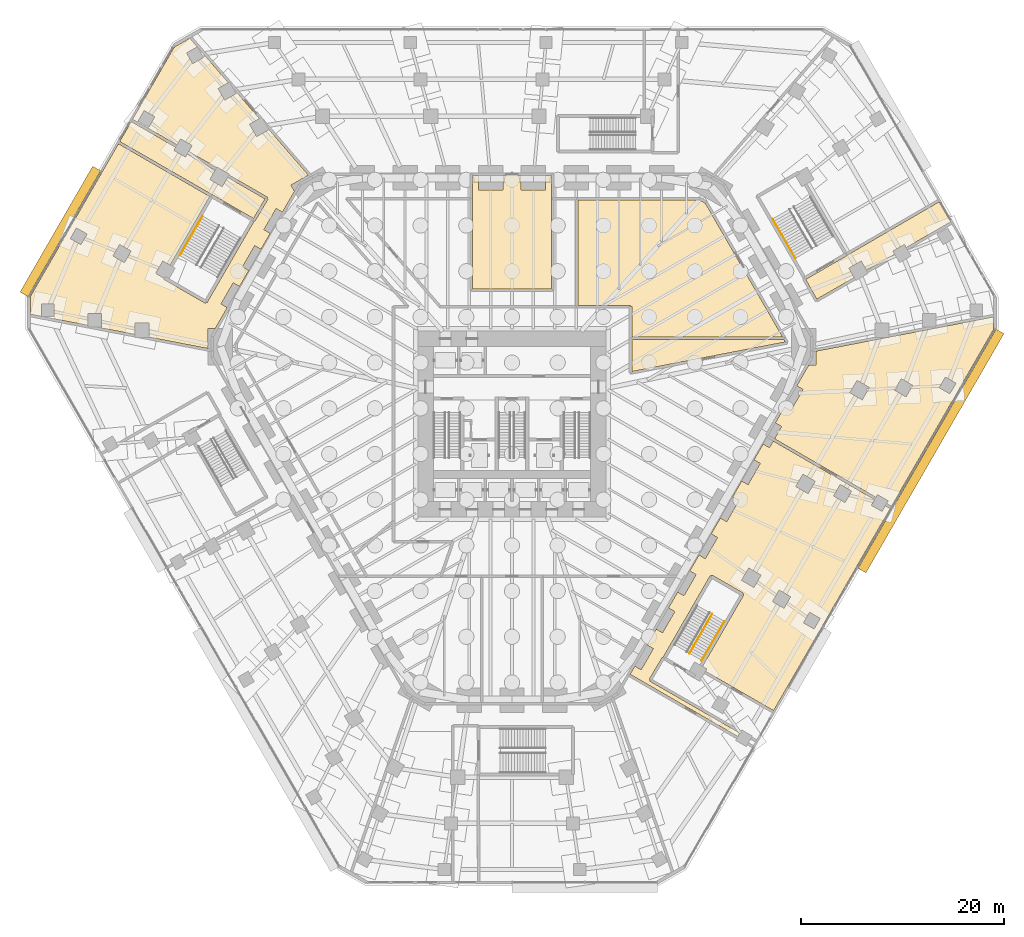
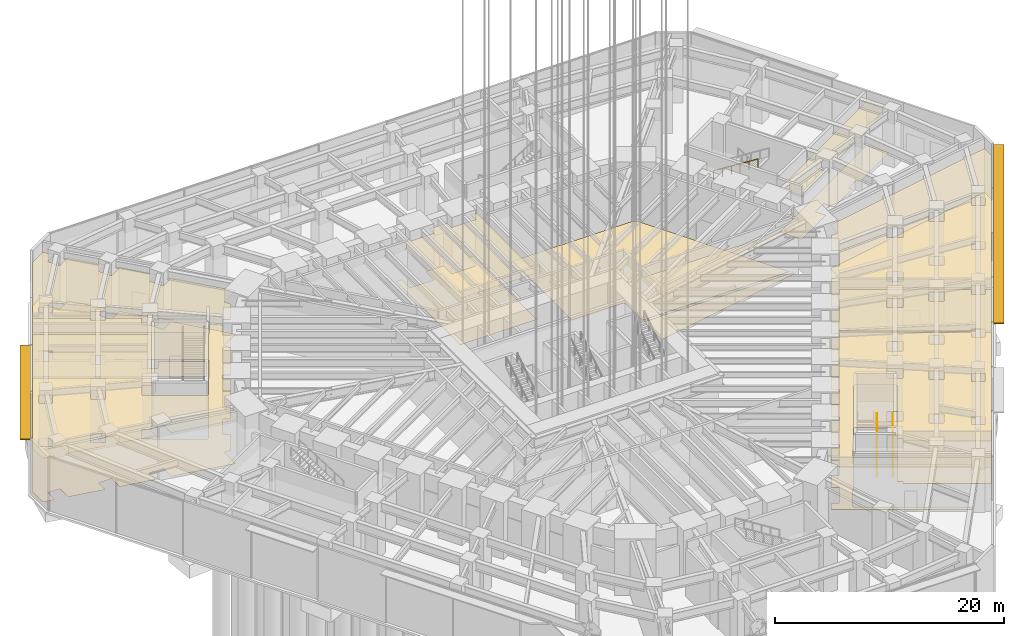
# One storey, part 27 of 34: 15 coverings, 4 railings, 2 shading devices.
"""IFC4 building model written with IfcOpenShell, lengths in metres."""

from ifc_helpers import new_model, si_unit, direction, frame, origin, origin_2d, place, context, subcontext, project, spatial, polyline, rectangle, circle, outline, extrude, material, layer, layer_set, type_object, element, save


model = new_model("IFC4")

# Units and contexts
model_context = context("Model", 3, precision=1e-05, world=origin(), true_north=direction((0.0, 1.0)))
body_context = subcontext(model_context, "Body", "Model", "MODEL_VIEW")
ifc_project = project(units=[si_unit("LENGTHUNIT", "METRE"), si_unit("AREAUNIT", "SQUARE_METRE"), si_unit("VOLUMEUNIT", "CUBIC_METRE"), si_unit("PLANEANGLEUNIT", "RADIAN"), si_unit("MASSUNIT", "GRAM", prefix="KILO")], contexts=[model_context])

# Site, building, storey
site_placement = place(None, origin())
site = spatial("IfcSite", under=ifc_project, at=site_placement, CompositionType="ELEMENT")
building_placement = place(site_placement, origin())
building = spatial("IfcBuilding", under=site, at=building_placement, Name="Sandreach Pilgrim Tower", CompositionType="ELEMENT")
storey_placement = place(building_placement, origin())
storey = spatial("IfcBuildingStorey", under=building, at=storey_placement, Name="L00", CompositionType="ELEMENT", Elevation=0.0)

# Coverings
ifc_material_1 = material(Name="Acoustic mineral fibre tile ceiling on a suspension grid", Category="mineral")
ifc_layer_1 = layer(ifc_material_1, 0.02001953125)
ifc_layer_set_1 = layer_set([ifc_layer_1], Name="Acoustic mineral tile ceiling")
covering_type_1 = type_object("IfcCoveringType", Name="Acoustic mineral tile ceiling", PredefinedType="CEILING", material=ifc_layer_set_1)
covering_1_placement = place(storey_placement, frame((0.0, 0.0, 4.64990234375)))
element("IfcCovering", 1, at=covering_1_placement, inside=storey, type_object=covering_type_1, Name="Ceiling 0006 Cafe", PredefinedType="CEILING", context=body_context, shape_type="SweptSolid", body=[
    extrude(outline(polyline([(-38.75537109375, 26.057373046875), (-29.765869140625, 20.865478515625), (-33.67724609375, 14.09130859375), (-34.38525390625, 14.500244140625), (-35.085205078125, 13.28759765625), (-34.333984375, 12.853759765625), (-34.299072265625, 12.714111328125), (-30.228759765625, 10.364013671875), (-30.02392578125, 10.4189453125), (-25.3740234375, 18.472900390625), (-25.312255859375, 18.4365234375), (-24.0322265625, 20.6064453125), (-24.139892578125, 20.669921875), (-24.077392578125, 20.7783203125), (-27.877197265625, 22.972412109375), (-27.837646484375, 23.041015625), (-29.050048828125, 23.740966796875), (-29.062255859375, 23.719970703125), (-31.85791015625, 25.270751953125), (-31.509521484375, 25.874267578125), (-32.635498046875, 26.524169921875), (-32.98388671875, 25.9208984375), (-35.838623046875, 27.5693359375), (-35.181640625, 28.70751953125), (-36.220703125, 29.307373046875), (-36.8779296875, 28.16943359375), (-37.37158203125, 28.454345703125), (-33.265869140625, 35.565673828125), (-31.72802734375, 36.45361328125), (-30.98583984375, 35.59619140625), (-32.039306640625, 34.98779296875), (-31.439453125, 33.94873046875), (-30.185791015625, 34.67236328125), (-27.927490234375, 32.063720703125), (-28.9404296875, 31.478759765625), (-28.29052734375, 30.35302734375), (-27.06103515625, 31.06298828125), (-24.869140625, 28.53125), (-25.84130859375, 27.969970703125), (-25.141357421875, 26.75732421875), (-23.93603515625, 27.453369140625), (-20.049560546875, 22.96435546875), (-21.76513671875, 21.97412109375), (-21.416748046875, 21.37060546875), (-22.605712890625, 19.3125), (-23.22705078125, 19.67138671875), (-24.427001953125, 17.5927734375), (-23.806396484375, 17.234375), (-24.718017578125, 15.656494140625), (-25.338134765625, 16.0146484375), (-26.538330078125, 13.936279296875), (-25.91845703125, 13.578369140625), (-26.830078125, 12.00048828125), (-27.449462890625, 12.358154296875), (-28.6494140625, 10.279541015625), (-28.03076171875, 9.92236328125), (-29.220947265625, 7.862060546875), (-29.91259765625, 7.862060546875), (-29.91259765625, 5.879150390625), (-35.743408203125, 7.004150390625), (-35.743408203125, 8.394287109375), (-37.143310546875, 8.394287109375), (-37.143310546875, 7.274169921875), (-40.431640625, 7.90869140625), (-40.431640625, 9.32373046875), (-41.731689453125, 9.32373046875), (-41.731689453125, 8.159423828125), (-45.1201171875, 8.81298828125), (-45.1201171875, 10.2529296875), (-46.320068359375, 10.2529296875), (-46.320068359375, 9.044677734375), (-47.43359375, 9.259521484375), (-47.43359375, 11.006103515625), (-38.75537109375, 26.057373046875)]), holes=[polyline([(-38.638427734375, 16.126953125), (-39.288330078125, 15.0009765625), (-38.16259765625, 14.35107421875), (-37.512451171875, 15.476806640625), (-38.638427734375, 16.126953125)]), polyline([(-43.491455078125, 16.71435546875), (-42.4521484375, 16.114501953125), (-41.852294921875, 17.153564453125), (-42.891357421875, 17.753662109375), (-43.491455078125, 16.71435546875)])]), origin(), (0.0, 0.0, 1.0), 0.02001953125),
])
ifc_material_2 = material(Name="Nylon carpet tile on the slab", Category="textile")
ifc_layer_2 = layer(ifc_material_2, 0.008056640625)
ifc_layer_set_2 = layer_set([ifc_layer_2], Name="Carpet tile")
covering_type_2 = type_object("IfcCoveringType", Name="Carpet tile", PredefinedType="FLOORING", material=ifc_layer_set_2)
covering_2_placement = place(storey_placement, origin())
element("IfcCovering", 2, at=covering_2_placement, inside=storey, type_object=covering_type_2, Name="Floor finish 00E4 Stair ST4 exit passageway", PredefinedType="FLOORING", context=body_context, shape_type="SweptSolid", body=[
    extrude(outline(polyline([(42.057373046875, 20.338134765625), (43.202392578125, 18.35498046875), (38.814697265625, 15.8212890625), (38.638427734375, 16.126953125), (37.512451171875, 15.476806640625), (37.68896484375, 15.17138671875), (34.920654296875, 13.572998046875), (34.38525390625, 14.500244140625), (33.1728515625, 13.800048828125), (33.708251953125, 12.872802734375), (30.0166015625, 10.7412109375), (28.910400390625, 12.69482421875), (32.960205078125, 15.032958984375), (32.953125, 15.045166015625), (42.057373046875, 20.338134765625)])), origin(), (0.0, 0.0, 1.0), 0.008056640625),
])
covering_3_placement = place(storey_placement, origin())
element("IfcCovering", 3, at=covering_3_placement, inside=storey, type_object=covering_type_2, Name="Floor finish 00E6 Stair ST6 exit passageway", PredefinedType="FLOORING", context=body_context, shape_type="SweptSolid", body=[
    extrude(outline(polyline([(-38.63037109375, 26.273681640625), (-37.49658203125, 28.23779296875), (-33.10888671875, 25.704345703125), (-33.285400390625, 25.3984375), (-32.15966796875, 24.748291015625), (-31.98291015625, 25.05419921875), (-29.214599609375, 23.455810546875), (-29.750244140625, 22.528564453125), (-28.53759765625, 21.828369140625), (-28.002197265625, 22.755859375), (-24.311767578125, 20.624755859375), (-25.4521484375, 18.69140625), (-38.63037109375, 26.273681640625)])), origin(), (0.0, 0.0, 1.0), 0.008056640625),
])
covering_4_placement = place(storey_placement, origin())
element("IfcCovering", 4, at=covering_4_placement, inside=storey, type_object=covering_type_2, Name="Floor finish 00R1 Fire command centre", PredefinedType="FLOORING", context=body_context, shape_type="SweptSolid", body=[
    extrude(outline(polyline([(3.875, 22.925048828125), (3.875, 11.7451171875), (-3.875, 11.7451171875), (-3.875, 22.925048828125), (-3.304931640625, 22.925048828125), (-3.304931640625, 21.48876953125), (-0.905029296875, 21.48876953125), (-0.905029296875, 22.925048828125), (0.905029296875, 22.925048828125), (0.905029296875, 21.48876953125), (3.304931640625, 21.48876953125), (3.304931640625, 22.925048828125), (3.875, 22.925048828125)])), origin(), (0.0, 0.0, 1.0), 0.008056640625),
])
covering_5_placement = place(storey_placement, origin())
element("IfcCovering", 5, at=covering_5_placement, inside=storey, type_object=covering_type_2, Name="Floor finish 00N1 Group registration hall", PredefinedType="FLOORING", context=body_context, shape_type="SweptSolid", body=[
    extrude(outline(polyline([(26.550537109375, -1.790283203125), (25.93115234375, -1.4326171875), (26.8369140625, 0.13427734375), (27.45556640625, -0.222900390625), (28.655517578125, 1.85546875), (28.0380859375, 2.2119140625), (29.22314453125, 4.26220703125), (29.91259765625, 4.26220703125), (29.91259765625, 5.62451171875), (37.0126953125, 6.994384765625), (37.143310546875, 6.994384765625), (37.143310546875, 7.01953125), (47.43359375, 9.0048828125), (47.43359375, 7.78662109375), (37.36572265625, -9.651611328125), (36.880859375, -9.37158203125), (37.031982421875, -9.109619140625), (35.992919921875, -8.509521484375), (35.841552734375, -8.771484375), (25.850830078125, -3.00244140625), (26.550537109375, -1.790283203125)]), holes=[polyline([(39.453857421875, 2.259765625), (38.328125, 2.90966796875), (37.677978515625, 1.783935546875), (38.803955078125, 1.1337890625), (39.453857421875, 2.259765625)]), polyline([(35.191162109375, 2.051025390625), (33.978515625, 2.7509765625), (33.278564453125, 1.53857421875), (34.490966796875, 0.83837890625), (35.191162109375, 2.051025390625)]), polyline([(42.677490234375, 3.068359375), (42.077392578125, 2.029296875), (43.11669921875, 1.42919921875), (43.716552734375, 2.468505859375), (42.677490234375, 3.068359375)])]), origin(), (0.0, 0.0, 1.0), 0.008056640625),
])
covering_6_placement = place(storey_placement, origin())
element("IfcCovering", 6, at=covering_6_placement, inside=storey, type_object=covering_type_2, Name="Floor finish 00N4 First-aid room", PredefinedType="FLOORING", context=body_context, shape_type="SweptSolid", body=[
    extrude(outline(polyline([(11.794921875, 6.77490234375), (26.787109375, 6.77490234375), (26.925537109375, 6.530029296875), (11.794921875, 3.621337890625), (11.794921875, 6.77490234375)])), origin(), (0.0, 0.0, 1.0), 0.008056640625),
])
ifc_material_3 = material(Name="Epoxy resin floor on the slab", Category="plastic")
ifc_layer_3 = layer(ifc_material_3, 0.00390625)
ifc_layer_set_3 = layer_set([ifc_layer_3], Name="Epoxy resin floor")
covering_type_3 = type_object("IfcCoveringType", Name="Epoxy resin floor", PredefinedType="FLOORING", material=ifc_layer_set_3)
covering_7_placement = place(storey_placement, origin())
element("IfcCovering", 7, at=covering_7_placement, inside=storey, type_object=covering_type_3, Name="Floor finish 00B1 Baggage store", PredefinedType="FLOORING", context=body_context, shape_type="SweptSolid", body=[
    extrude(outline(polyline([(11.669921875, 10.14501953125), (6.485107421875, 10.14501953125), (6.485107421875, 20.52490234375), (18.476318359375, 20.52490234375), (19.038330078125, 20.19873046875), (26.6435546875, 7.02490234375), (11.794921875, 7.02490234375), (11.794921875, 10.02001953125), (11.669921875, 10.02001953125), (11.669921875, 10.14501953125)])), origin(), (0.0, 0.0, 1.0), 0.00390625),
])
ifc_material_4 = material(Name="Gypsum board suspended ceiling on a steel grid", Category="steel")
ifc_layer_4 = layer(ifc_material_4, 0.012939453125)
ifc_layer_set_4 = layer_set([ifc_layer_4], Name="Gypsum board suspended ceiling")
covering_type_4 = type_object("IfcCoveringType", Name="Gypsum board suspended ceiling", PredefinedType="CEILING", material=ifc_layer_set_4)
covering_8_placement = place(storey_placement, frame((0.0, 0.0, 4.64990234375)))
element("IfcCovering", 8, at=covering_8_placement, inside=storey, type_object=covering_type_4, Name="Ceiling 00E4 Stair ST4 exit passageway", PredefinedType="CEILING", context=body_context, shape_type="SweptSolid", body=[
    extrude(outline(polyline([(42.057373046875, 20.338134765625), (43.202392578125, 18.35498046875), (38.814697265625, 15.8212890625), (38.638427734375, 16.126953125), (37.512451171875, 15.476806640625), (37.68896484375, 15.17138671875), (34.920654296875, 13.572998046875), (34.38525390625, 14.500244140625), (33.1728515625, 13.800048828125), (33.708251953125, 12.872802734375), (30.0166015625, 10.7412109375), (28.910400390625, 12.69482421875), (32.960205078125, 15.032958984375), (32.953125, 15.045166015625), (42.057373046875, 20.338134765625)])), origin(), (0.0, 0.0, 1.0), 0.01318359375),
])
covering_9_placement = place(storey_placement, frame((0.0, 0.0, 4.64990234375)))
element("IfcCovering", 9, at=covering_9_placement, inside=storey, type_object=covering_type_4, Name="Ceiling 00E6 Stair ST6 exit passageway", PredefinedType="CEILING", context=body_context, shape_type="SweptSolid", body=[
    extrude(outline(polyline([(-38.63037109375, 26.273681640625), (-37.49658203125, 28.23779296875), (-33.10888671875, 25.704345703125), (-33.285400390625, 25.3984375), (-32.15966796875, 24.748291015625), (-31.98291015625, 25.05419921875), (-29.214599609375, 23.455810546875), (-29.750244140625, 22.528564453125), (-28.53759765625, 21.828369140625), (-28.002197265625, 22.755859375), (-24.311767578125, 20.624755859375), (-25.4521484375, 18.69140625), (-38.63037109375, 26.273681640625)])), origin(), (0.0, 0.0, 1.0), 0.01318359375),
])
covering_10_placement = place(storey_placement, frame((0.0, 0.0, 4.949951171875)))
element("IfcCovering", 10, at=covering_10_placement, inside=storey, type_object=covering_type_4, Name="Ceiling 00R1 Fire command centre", PredefinedType="CEILING", context=body_context, shape_type="SweptSolid", body=[
    extrude(outline(polyline([(0.905029296875, 21.48876953125), (3.304931640625, 21.48876953125), (3.304931640625, 22.288818359375), (3.875, 22.288818359375), (3.875, 11.7451171875), (-3.875, 11.7451171875), (-3.875, 22.288818359375), (-3.304931640625, 22.288818359375), (-3.304931640625, 21.48876953125), (-0.905029296875, 21.48876953125), (-0.905029296875, 22.288818359375), (0.905029296875, 22.288818359375), (0.905029296875, 21.48876953125)])), origin(), (0.0, 0.0, 1.0), 0.012939453125),
])
covering_11_placement = place(storey_placement, frame((0.0, 0.0, 4.64990234375)))
element("IfcCovering", 11, at=covering_11_placement, inside=storey, type_object=covering_type_4, Name="Ceiling 00N1 Group registration hall", PredefinedType="CEILING", context=body_context, shape_type="SweptSolid", body=[
    extrude(outline(polyline([(26.550537109375, -1.790283203125), (25.93115234375, -1.4326171875), (26.8369140625, 0.13427734375), (27.45556640625, -0.222900390625), (28.655517578125, 1.85546875), (28.0380859375, 2.2119140625), (29.22314453125, 4.26220703125), (29.91259765625, 4.26220703125), (29.91259765625, 5.62451171875), (37.0126953125, 6.994384765625), (37.143310546875, 6.994384765625), (37.143310546875, 7.01953125), (47.43359375, 9.0048828125), (47.43359375, 7.78662109375), (37.36572265625, -9.651611328125), (36.880859375, -9.37158203125), (37.031982421875, -9.109619140625), (35.992919921875, -8.509521484375), (35.841552734375, -8.771484375), (25.850830078125, -3.00244140625), (26.550537109375, -1.790283203125)]), holes=[polyline([(39.453857421875, 2.259765625), (38.328125, 2.90966796875), (37.677978515625, 1.783935546875), (38.803955078125, 1.1337890625), (39.453857421875, 2.259765625)]), polyline([(34.490966796875, 0.83837890625), (35.191162109375, 2.051025390625), (33.978515625, 2.7509765625), (33.278564453125, 1.53857421875), (34.490966796875, 0.83837890625)]), polyline([(42.677490234375, 3.068359375), (42.077392578125, 2.029296875), (43.11669921875, 1.42919921875), (43.716552734375, 2.468505859375), (42.677490234375, 3.068359375)])]), origin(), (0.0, 0.0, 1.0), 0.01318359375),
])
covering_12_placement = place(storey_placement, frame((0.0, 0.0, 4.75)))
element("IfcCovering", 12, at=covering_12_placement, inside=storey, type_object=covering_type_4, Name="Ceiling 00N4 First-aid room", PredefinedType="CEILING", context=body_context, shape_type="SweptSolid", body=[
    extrude(outline(polyline([(11.794921875, 6.77490234375), (26.787109375, 6.77490234375), (26.925537109375, 6.530029296875), (11.794921875, 3.621337890625), (11.794921875, 6.77490234375)])), origin(), (0.0, 0.0, 1.0), 0.012939453125),
])

# Shading devices
ifc_material_5 = material(Name="Extruded aluminium sunshade blade, powder coated", Category="aluminium")
ifc_layer_5 = layer(ifc_material_5, 0.10009765625)
ifc_layer_set_5 = layer_set([ifc_layer_5], Name="Podium sunshade 900")
shading_device_type = type_object("IfcShadingDeviceType", Name="Podium sunshade 900", PredefinedType="AWNING", material=ifc_layer_set_5)
shading_device_1_placement = place(storey_placement, frame((41.262939453125, -4.20166015625, 5.64990234375), z_axis=(0.0, 0.0, 1.0), x_axis=(-0.5, -0.866025403784, 0.0)))
element("IfcShadingDevice", 13, at=shading_device_1_placement, inside=storey, type_object=shading_device_type, Name="Sunshade L00 SE over SEA", PredefinedType="AWNING", context=body_context, shape_type="SweptSolid", body=[
    extrude(rectangle(XDim=27.1884765625, YDim=0.89990234375, at=origin_2d()), origin(), (0.0, 0.0, 1.0), 0.10009765625),
])
shading_device_2_placement = place(storey_placement, frame((-44.48193359375, 17.418701171875, 5.64990234375), z_axis=(0.0, 0.0, 1.0), x_axis=(0.49999999997, 0.866025403802, 0.0)))
element("IfcShadingDevice", 14, at=shading_device_2_placement, inside=storey, type_object=shading_device_type, Name="Sunshade L00 NW over NWA", PredefinedType="AWNING", context=body_context, shape_type="SweptSolid", body=[
    extrude(rectangle(XDim=14.31201171875, YDim=0.89990234375, at=origin_2d()), origin(), (0.0, 0.0, 1.0), 0.10009765625),
])

# Covering
ifc_material_6 = material(Name="Porcelain tile on an adhesive bed", Category="ceramic")
ifc_layer_6 = layer(ifc_material_6, 0.011962890625)
ifc_layer_set_6 = layer_set([ifc_layer_6], Name="Porcelain tile")
covering_type_5 = type_object("IfcCoveringType", Name="Porcelain tile", PredefinedType="FLOORING", material=ifc_layer_set_6)
covering_13_placement = place(storey_placement, origin())
element("IfcCovering", 15, at=covering_13_placement, inside=storey, type_object=covering_type_5, Name="Floor finish 0006 Cafe", PredefinedType="FLOORING", context=body_context, shape_type="SweptSolid", body=[
    extrude(outline(polyline([(-38.75537109375, 26.057373046875), (-29.765869140625, 20.865478515625), (-33.67724609375, 14.09130859375), (-34.38525390625, 14.500244140625), (-35.085205078125, 13.28759765625), (-34.333984375, 12.853759765625), (-34.299072265625, 12.714111328125), (-30.228759765625, 10.364013671875), (-30.02392578125, 10.4189453125), (-25.3740234375, 18.472900390625), (-25.312255859375, 18.4365234375), (-24.0322265625, 20.6064453125), (-24.139892578125, 20.669921875), (-24.077392578125, 20.7783203125), (-27.877197265625, 22.972412109375), (-27.837646484375, 23.041015625), (-29.050048828125, 23.740966796875), (-29.062255859375, 23.719970703125), (-31.85791015625, 25.270751953125), (-31.509521484375, 25.874267578125), (-32.635498046875, 26.524169921875), (-32.98388671875, 25.9208984375), (-35.838623046875, 27.5693359375), (-35.181640625, 28.70751953125), (-36.220703125, 29.307373046875), (-36.8779296875, 28.16943359375), (-37.37158203125, 28.454345703125), (-33.265869140625, 35.565673828125), (-31.72802734375, 36.45361328125), (-30.98583984375, 35.59619140625), (-32.039306640625, 34.98779296875), (-31.439453125, 33.94873046875), (-30.185791015625, 34.67236328125), (-27.927490234375, 32.063720703125), (-28.9404296875, 31.478759765625), (-28.29052734375, 30.35302734375), (-27.06103515625, 31.06298828125), (-24.869140625, 28.53125), (-25.84130859375, 27.969970703125), (-25.141357421875, 26.75732421875), (-23.93603515625, 27.453369140625), (-20.049560546875, 22.96435546875), (-21.76513671875, 21.97412109375), (-21.416748046875, 21.37060546875), (-22.605712890625, 19.3125), (-23.22705078125, 19.67138671875), (-24.427001953125, 17.5927734375), (-23.806396484375, 17.234375), (-24.718017578125, 15.656494140625), (-25.338134765625, 16.0146484375), (-26.538330078125, 13.936279296875), (-25.91845703125, 13.578369140625), (-26.830078125, 12.00048828125), (-27.449462890625, 12.358154296875), (-28.6494140625, 10.279541015625), (-28.03076171875, 9.92236328125), (-29.220947265625, 7.862060546875), (-29.91259765625, 7.862060546875), (-29.91259765625, 5.879150390625), (-35.743408203125, 7.004150390625), (-35.743408203125, 8.394287109375), (-37.143310546875, 8.394287109375), (-37.143310546875, 7.274169921875), (-40.431640625, 7.90869140625), (-40.431640625, 9.32373046875), (-41.731689453125, 9.32373046875), (-41.731689453125, 8.159423828125), (-45.1201171875, 8.81298828125), (-45.1201171875, 10.2529296875), (-46.320068359375, 10.2529296875), (-46.320068359375, 9.044677734375), (-47.43359375, 9.259521484375), (-47.43359375, 11.006103515625), (-38.75537109375, 26.057373046875)]), holes=[polyline([(-39.288330078125, 15.0009765625), (-38.16259765625, 14.35107421875), (-37.512451171875, 15.476806640625), (-38.638427734375, 16.126953125), (-39.288330078125, 15.0009765625)]), polyline([(-42.891357421875, 17.753662109375), (-43.491455078125, 16.71435546875), (-42.4521484375, 16.114501953125), (-41.852294921875, 17.153564453125), (-42.891357421875, 17.753662109375)])]), origin(), (0.0, 0.0, 1.0), 0.011962890625),
])

# Railings
ifc_material_7 = material(Name="Stainless steel tube", Category="steel")
railing_type = type_object("IfcRailingType", Name="Stair handrail", PredefinedType="HANDRAIL", material=ifc_material_7)
railing_1_placement = place(storey_placement, frame((25.673095703125, 18.654541015625, 3.176513671875)))
element("IfcRailing", 16, at=railing_1_placement, inside=storey, type_object=railing_type, Name="Handrail ST4 L00 flight 2", PredefinedType="HANDRAIL", context=body_context, shape_type="SweptSolid", body=[
    extrude(circle(Radius=0.02392578125, at=origin_2d()), frame((0.0, 0.0, 0.8759765625), z_axis=(0.423007058581, -0.732643615031, 0.533196363214), x_axis=(0.866017690131, 0.500013360201, 0.0)), (0.0, 0.0, 1.0), 5.29541015625),
    extrude(circle(Radius=0.02099609375, at=origin_2d()), origin(), (0.0, 0.0, 1.0), 0.851806640625),
    extrude(circle(Radius=0.02099609375, at=origin_2d()), frame((0.447998046875, -0.77587890625, 0.564697265625)), (0.0, 0.0, 1.0), 0.851806640625),
    extrude(circle(Radius=0.02099609375, at=origin_2d()), frame((0.89599609375, -1.5517578125, 1.12939453125)), (0.0, 0.0, 1.0), 0.851806640625),
    extrude(circle(Radius=0.02099609375, at=origin_2d()), frame((1.343994140625, -2.327880859375, 1.694091796875)), (0.0, 0.0, 1.0), 0.851806640625),
    extrude(circle(Radius=0.02099609375, at=origin_2d()), frame((1.7919921875, -3.103759765625, 2.2587890625)), (0.0, 0.0, 1.0), 0.851806640625),
    extrude(circle(Radius=0.02099609375, at=origin_2d()), frame((2.239990234375, -3.879638671875, 2.823486328125)), (0.0, 0.0, 1.0), 0.851806640625),
])
railing_2_placement = place(storey_placement, frame((-30.475830078125, 18.93603515625, 0.176513671875)))
element("IfcRailing", 17, at=railing_2_placement, inside=storey, type_object=railing_type, Name="Handrail ST6 L00 flight 1", PredefinedType="HANDRAIL", context=body_context, shape_type="SweptSolid", body=[
    extrude(circle(Radius=0.02392578125, at=origin_2d()), frame((0.0, 0.0, 0.8759765625), z_axis=(-0.42299277051, -0.732664971003, 0.533178353237), x_axis=(0.866031314237, -0.499989762656, 0.0)), (0.0, 0.0, 1.0), 5.295654296875),
    extrude(circle(Radius=0.02099609375, at=origin_2d()), origin(), (0.0, 0.0, 1.0), 0.851806640625),
    extrude(circle(Radius=0.02099609375, at=origin_2d()), frame((-0.447998046875, -0.77587890625, 0.564697265625)), (0.0, 0.0, 1.0), 0.851806640625),
    extrude(circle(Radius=0.02099609375, at=origin_2d()), frame((-0.89599609375, -1.552001953125, 1.12939453125)), (0.0, 0.0, 1.0), 0.851806640625),
    extrude(circle(Radius=0.02099609375, at=origin_2d()), frame((-1.343994140625, -2.327880859375, 1.694091796875)), (0.0, 0.0, 1.0), 0.851806640625),
    extrude(circle(Radius=0.02099609375, at=origin_2d()), frame((-1.7919921875, -3.10400390625, 2.2587890625)), (0.0, 0.0, 1.0), 0.851806640625),
    extrude(circle(Radius=0.02099609375, at=origin_2d()), frame((-2.239990234375, -3.8798828125, 2.823486328125)), (0.0, 0.0, 1.0), 0.851806640625),
])
railing_3_placement = place(storey_placement, frame((17.46484375, -24.147216796875, 0.176513671875)))
element("IfcRailing", 18, at=railing_3_placement, inside=storey, type_object=railing_type, Name="Handrail ST8 L00 flight 1", PredefinedType="HANDRAIL", context=body_context, shape_type="SweptSolid", body=[
    extrude(circle(Radius=0.02392578125, at=origin_2d()), frame((0.0, 0.0, 0.8759765625), z_axis=(0.423007058581, 0.732643615031, 0.533196363214), x_axis=(-0.866017690131, 0.500013360201, 0.0)), (0.0, 0.0, 1.0), 5.29541015625),
    extrude(circle(Radius=0.02099609375, at=origin_2d()), origin(), (0.0, 0.0, 1.0), 0.851806640625),
    extrude(circle(Radius=0.02099609375, at=origin_2d()), frame((0.447998046875, 0.77587890625, 0.564697265625)), (0.0, 0.0, 1.0), 0.851806640625),
    extrude(circle(Radius=0.02099609375, at=origin_2d()), frame((0.89599609375, 1.5517578125, 1.12939453125)), (0.0, 0.0, 1.0), 0.851806640625),
    extrude(circle(Radius=0.02099609375, at=origin_2d()), frame((1.343994140625, 2.327880859375, 1.694091796875)), (0.0, 0.0, 1.0), 0.851806640625),
    extrude(circle(Radius=0.02099609375, at=origin_2d()), frame((1.7919921875, 3.103759765625, 2.2587890625)), (0.0, 0.0, 1.0), 0.851806640625),
    extrude(circle(Radius=0.02099609375, at=origin_2d()), frame((2.239990234375, 3.879638671875, 2.823486328125)), (0.0, 0.0, 1.0), 0.851806640625),
])
railing_4_placement = place(storey_placement, frame((18.67724609375, -24.847412109375, 0.176513671875)))
element("IfcRailing", 19, at=railing_4_placement, inside=storey, type_object=railing_type, Name="Handrail ST8 L00 flight 1", PredefinedType="HANDRAIL", context=body_context, shape_type="SweptSolid", body=[
    extrude(circle(Radius=0.02392578125, at=origin_2d()), frame((0.0, 0.0, 0.8759765625), z_axis=(0.42299277051, 0.732664971003, 0.533178353237), x_axis=(-0.866031314237, 0.499989762656, 0.0)), (0.0, 0.0, 1.0), 5.295654296875),
    extrude(circle(Radius=0.02099609375, at=origin_2d()), origin(), (0.0, 0.0, 1.0), 0.851806640625),
    extrude(circle(Radius=0.02099609375, at=origin_2d()), frame((0.447998046875, 0.77587890625, 0.564697265625)), (0.0, 0.0, 1.0), 0.851806640625),
    extrude(circle(Radius=0.02099609375, at=origin_2d()), frame((0.89599609375, 1.552001953125, 1.12939453125)), (0.0, 0.0, 1.0), 0.851806640625),
    extrude(circle(Radius=0.02099609375, at=origin_2d()), frame((1.343994140625, 2.327880859375, 1.694091796875)), (0.0, 0.0, 1.0), 0.851806640625),
    extrude(circle(Radius=0.02099609375, at=origin_2d()), frame((1.7919921875, 3.10400390625, 2.2587890625)), (0.0, 0.0, 1.0), 0.851806640625),
    extrude(circle(Radius=0.02099609375, at=origin_2d()), frame((2.239990234375, 3.8798828125, 2.823486328125)), (0.0, 0.0, 1.0), 0.851806640625),
])

# Coverings
ifc_material_8 = material(Name="Honed limestone paving on a mortar bed", Category="masonry")
ifc_layer_7 = layer(ifc_material_8, 0.030029296875)
ifc_layer_set_7 = layer_set([ifc_layer_7], Name="Stone paving")
covering_type_6 = type_object("IfcCoveringType", Name="Stone paving", PredefinedType="FLOORING", material=ifc_layer_set_7)
covering_14_placement = place(storey_placement, origin())
element("IfcCovering", 20, at=covering_14_placement, inside=storey, type_object=covering_type_6, Name="Floor finish 0003 Coach arrival lobby", PredefinedType="FLOORING", context=body_context, shape_type="SweptSolid", body=[
    extrude(outline(polyline([(11.630859375, -26.1943359375), (12.0986328125, -25.385009765625), (12.720947265625, -25.744140625), (13.9208984375, -23.665771484375), (13.300048828125, -23.307373046875), (14.2060546875, -21.740478515625), (14.825927734375, -22.098388671875), (16.02587890625, -20.019775390625), (15.4072265625, -19.662841796875), (16.313232421875, -18.095947265625), (16.930908203125, -18.452392578125), (18.130859375, -16.3740234375), (17.5068359375, -16.013671875), (18.412353515625, -14.446533203125), (19.03564453125, -14.806640625), (20.23583984375, -12.72802734375), (19.61279296875, -12.368408203125), (20.518310546875, -10.80126953125), (21.140625, -11.16064453125), (22.3408203125, -9.082275390625), (21.71875, -8.72314453125), (22.624267578125, -7.156005859375), (23.24560546875, -7.5146484375), (24.445556640625, -5.436279296875), (23.824951171875, -5.077880859375), (24.730224609375, -3.5107421875), (25.3505859375, -3.868896484375), (25.725830078125, -3.21875), (35.716552734375, -8.988037109375), (35.392822265625, -9.548828125), (36.43212890625, -10.14892578125), (36.755859375, -9.588134765625), (37.24072265625, -9.8681640625), (25.759765625, -29.77392578125), (19.05322265625, -25.900634765625), (19.186767578125, -25.66943359375), (18.751953125, -25.418212890625), (22.805419921875, -18.397216796875), (22.75048828125, -18.1923828125), (19.719482421875, -16.4423828125), (19.5146484375, -16.497314453125), (14.86376953125, -24.552734375), (14.80224609375, -24.5166015625), (13.522216796875, -26.6865234375), (13.6298828125, -26.75), (13.567626953125, -26.8583984375), (22.443603515625, -31.9775390625), (22.244140625, -32.322998046875), (11.630859375, -26.1943359375)]), holes=[polyline([(33.444091796875, -8.1494140625), (32.318359375, -7.49951171875), (31.66845703125, -8.625244140625), (32.794189453125, -9.275146484375), (33.444091796875, -8.1494140625)]), polyline([(30.347412109375, -20.687744140625), (29.308349609375, -20.087646484375), (28.708251953125, -21.126953125), (29.74755859375, -21.726806640625), (30.347412109375, -20.687744140625)]), polyline([(29.856201171875, -7.189208984375), (28.643798828125, -6.4892578125), (27.94384765625, -7.70166015625), (29.15625, -8.401611328125), (29.856201171875, -7.189208984375)]), polyline([(27.4345703125, -18.558349609375), (26.30859375, -17.908447265625), (25.65869140625, -19.0341796875), (26.784423828125, -19.684326171875), (27.4345703125, -18.558349609375)]), polyline([(24.521484375, -16.42919921875), (23.30908203125, -15.729248046875), (22.609130859375, -16.941650390625), (23.821533203125, -17.6416015625), (24.521484375, -16.42919921875)])]), origin(), (0.0, 0.0, 1.0), 0.030029296875),
])
ifc_material_9 = material(Name="Timber slat acoustic ceiling on a suspension grid", Category="wood")
ifc_layer_8 = layer(ifc_material_9, 0.02490234375)
ifc_layer_set_8 = layer_set([ifc_layer_8], Name="Timber slat acoustic ceiling")
covering_type_7 = type_object("IfcCoveringType", Name="Timber slat acoustic ceiling", PredefinedType="CEILING", material=ifc_layer_set_8)
covering_15_placement = place(storey_placement, frame((0.0, 0.0, 4.60009765625)))
element("IfcCovering", 21, at=covering_15_placement, inside=storey, type_object=covering_type_7, Name="Ceiling 0003 Coach arrival lobby", PredefinedType="CEILING", context=body_context, shape_type="SweptSolid", body=[
    extrude(outline(polyline([(11.630859375, -26.1943359375), (12.0986328125, -25.385009765625), (12.720947265625, -25.744140625), (13.9208984375, -23.665771484375), (13.300048828125, -23.307373046875), (14.2060546875, -21.740478515625), (14.825927734375, -22.098388671875), (16.02587890625, -20.019775390625), (15.4072265625, -19.662841796875), (16.313232421875, -18.095947265625), (16.930908203125, -18.452392578125), (18.130859375, -16.3740234375), (17.5068359375, -16.013671875), (18.412353515625, -14.446533203125), (19.03564453125, -14.806640625), (20.23583984375, -12.72802734375), (19.61279296875, -12.368408203125), (20.518310546875, -10.80126953125), (21.140625, -11.16064453125), (22.3408203125, -9.082275390625), (21.71875, -8.72314453125), (22.624267578125, -7.156005859375), (23.24560546875, -7.5146484375), (24.445556640625, -5.436279296875), (23.824951171875, -5.077880859375), (24.730224609375, -3.5107421875), (25.3505859375, -3.868896484375), (25.725830078125, -3.21875), (35.716552734375, -8.988037109375), (35.392822265625, -9.548828125), (36.43212890625, -10.14892578125), (36.755859375, -9.588134765625), (37.24072265625, -9.8681640625), (25.759765625, -29.77392578125), (19.05322265625, -25.900634765625), (19.186767578125, -25.66943359375), (18.751953125, -25.418212890625), (22.805419921875, -18.397216796875), (22.75048828125, -18.1923828125), (19.719482421875, -16.4423828125), (19.5146484375, -16.497314453125), (14.86376953125, -24.552734375), (14.80224609375, -24.5166015625), (13.522216796875, -26.6865234375), (13.6298828125, -26.75), (13.567626953125, -26.8583984375), (22.443603515625, -31.9775390625), (22.244140625, -32.322998046875), (11.630859375, -26.1943359375)]), holes=[polyline([(33.444091796875, -8.1494140625), (32.318359375, -7.49951171875), (31.66845703125, -8.625244140625), (32.794189453125, -9.275146484375), (33.444091796875, -8.1494140625)]), polyline([(29.74755859375, -21.726806640625), (30.347412109375, -20.687744140625), (29.308349609375, -20.087646484375), (28.708251953125, -21.126953125), (29.74755859375, -21.726806640625)]), polyline([(29.15625, -8.401611328125), (29.856201171875, -7.189208984375), (28.643798828125, -6.4892578125), (27.94384765625, -7.70166015625), (29.15625, -8.401611328125)]), polyline([(26.784423828125, -19.684326171875), (27.4345703125, -18.558349609375), (26.30859375, -17.908447265625), (25.65869140625, -19.0341796875), (26.784423828125, -19.684326171875)]), polyline([(24.521484375, -16.42919921875), (23.30908203125, -15.729248046875), (22.609130859375, -16.941650390625), (23.821533203125, -17.6416015625), (24.521484375, -16.42919921875)])]), origin(), (0.0, 0.0, 1.0), 0.02490234375),
])

save(model, "model.ifc")
